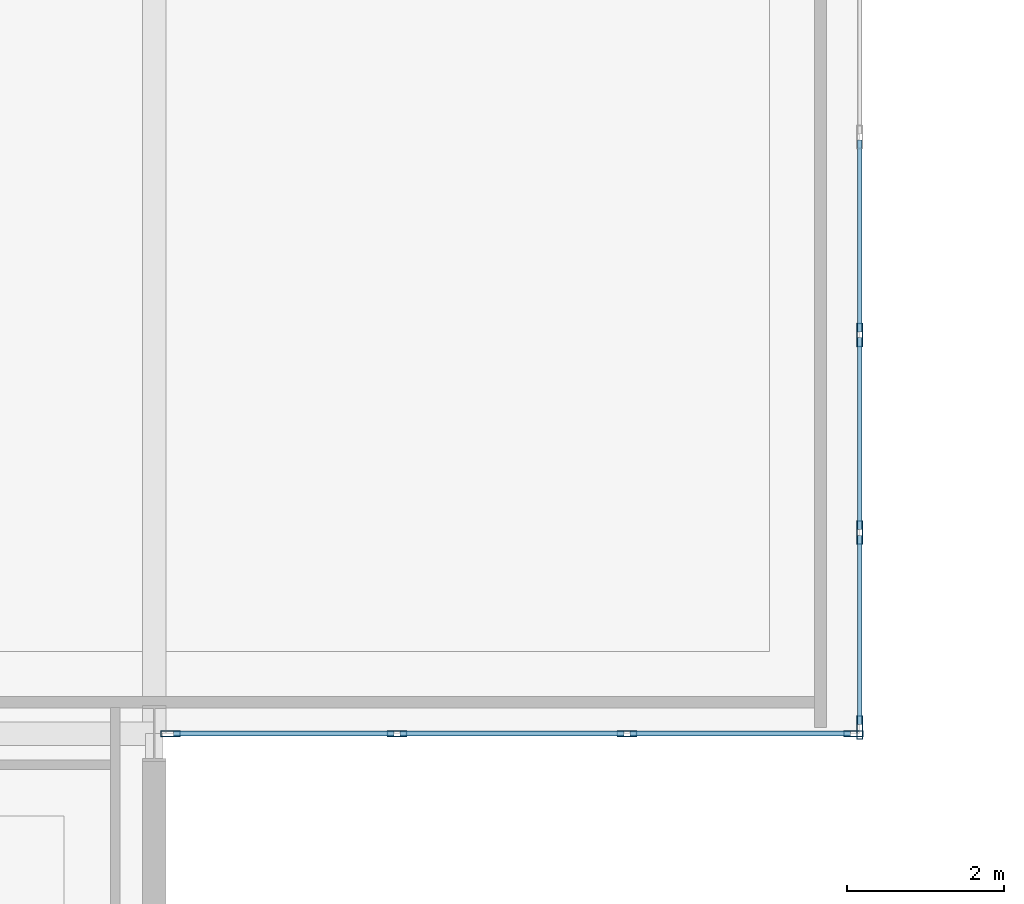
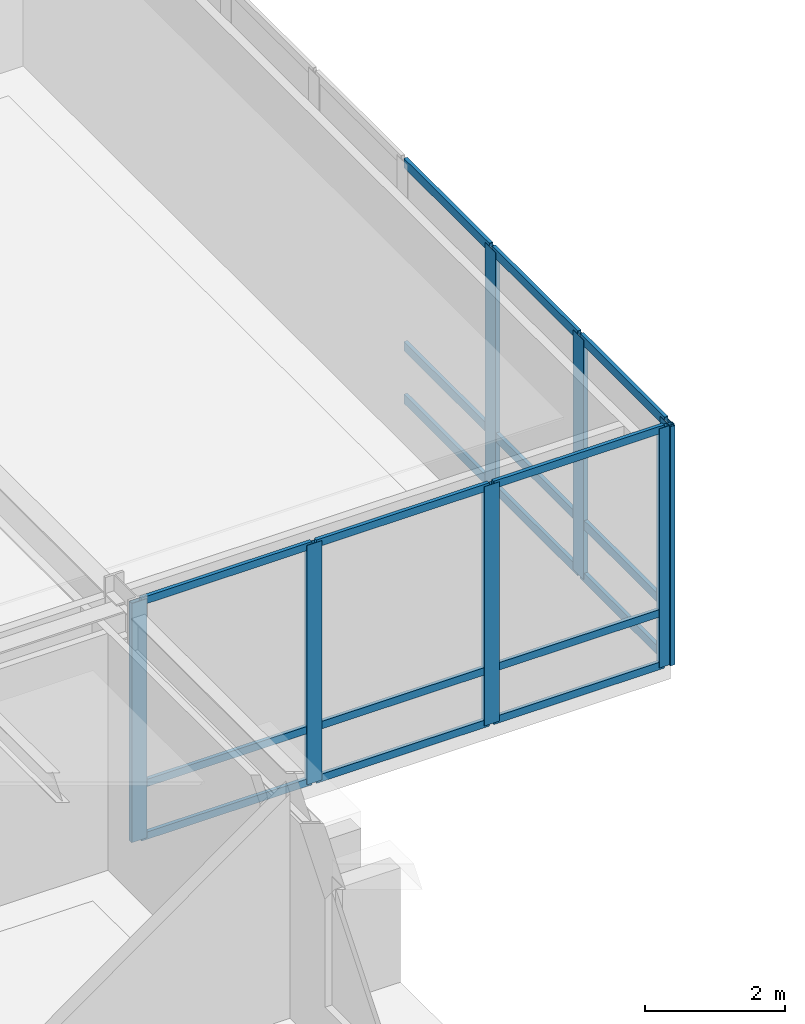
# One storey, part 84 of 127: 25 members, 2 elements without a shape of their own.
"""IFC4 building model written with IfcOpenShell, lengths in metres."""

from ifc_helpers import new_model, si_unit, direction, frame, origin, origin_2d, place, context, subcontext, project, spatial, hollow_rectangle, extrude, material, layer, layer_set, material_profile, profile_set, type_object, element, aggregate, save


model = new_model("IFC4")

# Units and contexts
model_context = context("Model", 3, precision=1e-05, world=origin(), true_north=direction((0.0, 1.0)))
body_context = subcontext(model_context, "Body", "Model", "MODEL_VIEW")
ifc_project = project(units=[si_unit("LENGTHUNIT", "METRE"), si_unit("AREAUNIT", "SQUARE_METRE"), si_unit("VOLUMEUNIT", "CUBIC_METRE"), si_unit("PLANEANGLEUNIT", "RADIAN"), si_unit("MASSUNIT", "GRAM", prefix="KILO")], contexts=[model_context])

# Site, building, storey
site_placement = place(None, origin())
site = spatial("IfcSite", under=ifc_project, at=site_placement, CompositionType="ELEMENT")
building_placement = place(site_placement, origin())
building = spatial("IfcBuilding", under=site, at=building_placement, Name="Montelvaro Courts of Justice", CompositionType="ELEMENT")
storey_placement = place(building_placement, frame((0.0, 0.0, 5.39990234375)))
storey = spatial("IfcBuildingStorey", under=building, at=storey_placement, Name="L01", CompositionType="ELEMENT", Elevation=5.39990234375)

# Curtain wall, members
ifc_material = material(Name="Anodised aluminium EN AW-6063", Category="aluminium")
ifc_layer_1 = layer(ifc_material, 0.159912109375)
ifc_layer_set_1 = layer_set([ifc_layer_1], Name="Anodised aluminium EN AW-6063")
curtain_wall_type_1 = type_object("IfcCurtainWallType", Name="CurtainWall_25_879x418", PredefinedType="USERDEFINED", material=ifc_layer_set_1)
curtain_wall_1_placement = place(storey_placement, origin())
curtain_wall_1 = element("IfcCurtainWall", 1, at=curtain_wall_1_placement, inside=storey, type_object=curtain_wall_type_1, Name="Curtain Wall CW-25 (L01)", ObjectType="CURTAIN WALL", PredefinedType="USERDEFINED")
ifc_material_profile_1 = material_profile(ifc_material, hollow_rectangle(XDim=0.074951171875, YDim=0.25, WallThickness=0.005615234375, at=origin_2d()), Name="ALU-M 75x250")
ifc_profile_set_1 = profile_set([ifc_material_profile_1], Name="Anodised aluminium EN AW-6063")
member_type_1 = type_object("IfcMemberType", Name="CurtainWall_Mullion_75x250", PredefinedType="MULLION", material=ifc_profile_set_1)
member_1_placement = place(storey_placement, frame((135.20458984375, 24.0, 0.0), z_axis=(0.0, 0.0, 1.0), x_axis=(0.0, 1.0, 0.0)))
member_1 = element("IfcMember", 2, at=member_1_placement, type_object=member_type_1, Name="CW-25 mullion 1", PredefinedType="MULLION", context=body_context, shape_type="SweptSolid", body=[
    extrude(hollow_rectangle(XDim=0.074951171875, YDim=0.25, WallThickness=0.005615234375, at=origin_2d()), origin(), (0.0, 0.0, 1.0), 4.18017578125),
])
member_2_placement = place(storey_placement, frame((138.097900390625, 24.0, 0.0), z_axis=(0.0, 0.0, 1.0), x_axis=(0.0, 1.0, 0.0)))
member_2 = element("IfcMember", 3, at=member_2_placement, type_object=member_type_1, Name="CW-25 mullion 2", PredefinedType="MULLION", context=body_context, shape_type="SweptSolid", body=[
    extrude(hollow_rectangle(XDim=0.074951171875, YDim=0.25, WallThickness=0.005615234375, at=origin_2d()), origin(), (0.0, 0.0, 1.0), 4.18017578125),
])
member_3_placement = place(storey_placement, frame((141.029052734375, 24.0, 0.0), z_axis=(0.0, 0.0, 1.0), x_axis=(0.0, 1.0, 0.0)))
member_3 = element("IfcMember", 4, at=member_3_placement, type_object=member_type_1, Name="CW-25 mullion 3", PredefinedType="MULLION", context=body_context, shape_type="SweptSolid", body=[
    extrude(hollow_rectangle(XDim=0.074951171875, YDim=0.25, WallThickness=0.005615234375, at=origin_2d()), origin(), (0.0, 0.0, 1.0), 4.18017578125),
])
member_4_placement = place(storey_placement, frame((143.922607421875, 24.0, 0.0), z_axis=(0.0, 0.0, 1.0), x_axis=(0.0, 1.0, 0.0)))
member_4 = element("IfcMember", 5, at=member_4_placement, type_object=member_type_1, Name="CW-25 mullion 4", PredefinedType="MULLION", context=body_context, shape_type="SweptSolid", body=[
    extrude(hollow_rectangle(XDim=0.074951171875, YDim=0.25, WallThickness=0.005615234375, at=origin_2d()), origin(), (0.0, 0.0, 1.0), 4.18017578125),
])

ifc_layer_2 = layer(ifc_material, 0.159912109375)
ifc_layer_set_2 = layer_set([ifc_layer_2], Name="Anodised aluminium EN AW-6063")
curtain_wall_type_2 = type_object("IfcCurtainWallType", Name="CurtainWall_15_1765x418", PredefinedType="USERDEFINED", material=ifc_layer_set_2)
curtain_wall_2_placement = place(storey_placement, origin())
curtain_wall_2 = element("IfcCurtainWall", 6, at=curtain_wall_2_placement, inside=storey, type_object=curtain_wall_type_2, Name="Curtain Wall CW-15 (L01)", ObjectType="CURTAIN WALL", PredefinedType="USERDEFINED")
ifc_material_profile_2 = material_profile(ifc_material, hollow_rectangle(XDim=0.074951171875, YDim=0.300048828125, WallThickness=0.006103515625, at=origin_2d()), Name="ALU-M 75x300")
ifc_profile_set_2 = profile_set([ifc_material_profile_2], Name="Anodised aluminium EN AW-6063")
member_type_2 = type_object("IfcMemberType", Name="CurtainWall_Mullion_75x300", PredefinedType="MULLION", material=ifc_profile_set_2)
member_5_placement = place(storey_placement, frame((144.0, 24.077392578125, 0.0), z_axis=(0.0, 0.0, 1.0), x_axis=(-1.0, 0.0, 0.0)))
member_5 = element("IfcMember", 7, at=member_5_placement, type_object=member_type_2, Name="CW-15 mullion 1", PredefinedType="MULLION", context=body_context, shape_type="SweptSolid", body=[
    extrude(hollow_rectangle(XDim=0.074951171875, YDim=0.300048828125, WallThickness=0.006103515625, at=origin_2d()), origin(), (0.0, 0.0, 1.0), 4.18017578125),
])
member_6_placement = place(storey_placement, frame((144.0, 26.564208984375, 0.0), z_axis=(0.0, 0.0, 1.0), x_axis=(-1.0, 0.0, 0.0)))
member_6 = element("IfcMember", 8, at=member_6_placement, type_object=member_type_2, Name="CW-15 mullion 2", PredefinedType="MULLION", context=body_context, shape_type="SweptSolid", body=[
    extrude(hollow_rectangle(XDim=0.074951171875, YDim=0.300048828125, WallThickness=0.006103515625, at=origin_2d()), origin(), (0.0, 0.0, 1.0), 4.18017578125),
])
member_7_placement = place(storey_placement, frame((144.0, 29.088623046875, 0.0), z_axis=(0.0, 0.0, 1.0), x_axis=(-1.0, 0.0, 0.0)))
member_7 = element("IfcMember", 9, at=member_7_placement, type_object=member_type_2, Name="CW-15 mullion 3", PredefinedType="MULLION", context=body_context, shape_type="SweptSolid", body=[
    extrude(hollow_rectangle(XDim=0.074951171875, YDim=0.300048828125, WallThickness=0.006103515625, at=origin_2d()), origin(), (0.0, 0.0, 1.0), 4.18017578125),
])

# Member
ifc_material_profile_3 = material_profile(ifc_material, hollow_rectangle(XDim=0.06005859375, YDim=0.1298828125, WallThickness=0.00390625, at=origin_2d()), Name="ALU-T 60x130")
ifc_profile_set_3 = profile_set([ifc_material_profile_3], Name="Anodised aluminium EN AW-6063")
member_type_3 = type_object("IfcMemberType", Name="CurtainWall_Transom_60x130", PredefinedType="USERDEFINED", material=ifc_profile_set_3)
member_8_placement = place(storey_placement, frame((135.241943359375, 24.0, 0.030029296875), z_axis=(1.0, 0.0, 0.0), x_axis=(0.0, 1.0, 0.0)))
member_8 = element("IfcMember", 10, at=member_8_placement, type_object=member_type_3, Name="CW-25 transom 1.1", ObjectType="TRANSOM", PredefinedType="USERDEFINED", context=body_context, shape_type="SweptSolid", body=[
    extrude(hollow_rectangle(XDim=0.06005859375, YDim=0.1298828125, WallThickness=0.00390625, at=origin_2d()), origin(), (0.0, 0.0, 1.0), 2.818603515625),
])

member_9_placement = place(storey_placement, frame((135.241943359375, 24.0, 0.9501953125), z_axis=(1.0, 0.0, 0.0), x_axis=(0.0, 1.0, 0.0)))
member_9 = element("IfcMember", 11, at=member_9_placement, type_object=member_type_3, Name="CW-25 transom 1.2", ObjectType="TRANSOM", PredefinedType="USERDEFINED", context=body_context, shape_type="SweptSolid", body=[
    extrude(hollow_rectangle(XDim=0.06005859375, YDim=0.1298828125, WallThickness=0.00390625, at=origin_2d()), origin(), (0.0, 0.0, 1.0), 2.818603515625),
])

member_10_placement = place(storey_placement, frame((135.241943359375, 24.0, 4.150146484375), z_axis=(1.0, 0.0, 0.0), x_axis=(0.0, 1.0, 0.0)))
member_10 = element("IfcMember", 12, at=member_10_placement, type_object=member_type_3, Name="CW-25 transom 1.3", ObjectType="TRANSOM", PredefinedType="USERDEFINED", context=body_context, shape_type="SweptSolid", body=[
    extrude(hollow_rectangle(XDim=0.06005859375, YDim=0.1298828125, WallThickness=0.00390625, at=origin_2d()), origin(), (0.0, 0.0, 1.0), 2.818603515625),
])

member_11_placement = place(storey_placement, frame((138.135498046875, 24.0, 0.030029296875), z_axis=(1.0, 0.0, 0.0), x_axis=(0.0, 1.0, 0.0)))
member_11 = element("IfcMember", 13, at=member_11_placement, type_object=member_type_3, Name="CW-25 transom 2.1", ObjectType="TRANSOM", PredefinedType="USERDEFINED", context=body_context, shape_type="SweptSolid", body=[
    extrude(hollow_rectangle(XDim=0.06005859375, YDim=0.1298828125, WallThickness=0.00390625, at=origin_2d()), origin(), (0.0, 0.0, 1.0), 2.85595703125),
])

member_12_placement = place(storey_placement, frame((138.135498046875, 24.0, 0.9501953125), z_axis=(1.0, 0.0, 0.0), x_axis=(0.0, 1.0, 0.0)))
member_12 = element("IfcMember", 14, at=member_12_placement, type_object=member_type_3, Name="CW-25 transom 2.2", ObjectType="TRANSOM", PredefinedType="USERDEFINED", context=body_context, shape_type="SweptSolid", body=[
    extrude(hollow_rectangle(XDim=0.06005859375, YDim=0.1298828125, WallThickness=0.00390625, at=origin_2d()), origin(), (0.0, 0.0, 1.0), 2.85595703125),
])

member_13_placement = place(storey_placement, frame((138.135498046875, 24.0, 4.150146484375), z_axis=(1.0, 0.0, 0.0), x_axis=(0.0, 1.0, 0.0)))
member_13 = element("IfcMember", 15, at=member_13_placement, type_object=member_type_3, Name="CW-25 transom 2.3", ObjectType="TRANSOM", PredefinedType="USERDEFINED", context=body_context, shape_type="SweptSolid", body=[
    extrude(hollow_rectangle(XDim=0.06005859375, YDim=0.1298828125, WallThickness=0.00390625, at=origin_2d()), origin(), (0.0, 0.0, 1.0), 2.85595703125),
])

member_14_placement = place(storey_placement, frame((141.06640625, 24.0, 0.030029296875), z_axis=(1.0, 0.0, 0.0), x_axis=(0.0, 1.0, 0.0)))
member_14 = element("IfcMember", 16, at=member_14_placement, type_object=member_type_3, Name="CW-25 transom 3.1", ObjectType="TRANSOM", PredefinedType="USERDEFINED", context=body_context, shape_type="SweptSolid", body=[
    extrude(hollow_rectangle(XDim=0.06005859375, YDim=0.1298828125, WallThickness=0.00390625, at=origin_2d()), origin(), (0.0, 0.0, 1.0), 2.818603515625),
])

member_15_placement = place(storey_placement, frame((141.06640625, 24.0, 0.9501953125), z_axis=(1.0, 0.0, 0.0), x_axis=(0.0, 1.0, 0.0)))
member_15 = element("IfcMember", 17, at=member_15_placement, type_object=member_type_3, Name="CW-25 transom 3.2", ObjectType="TRANSOM", PredefinedType="USERDEFINED", context=body_context, shape_type="SweptSolid", body=[
    extrude(hollow_rectangle(XDim=0.06005859375, YDim=0.1298828125, WallThickness=0.00390625, at=origin_2d()), origin(), (0.0, 0.0, 1.0), 2.818603515625),
])

member_16_placement = place(storey_placement, frame((141.06640625, 24.0, 4.150146484375), z_axis=(1.0, 0.0, 0.0), x_axis=(0.0, 1.0, 0.0)))
member_16 = element("IfcMember", 18, at=member_16_placement, type_object=member_type_3, Name="CW-25 transom 3.3", ObjectType="TRANSOM", PredefinedType="USERDEFINED", context=body_context, shape_type="SweptSolid", body=[
    extrude(hollow_rectangle(XDim=0.06005859375, YDim=0.1298828125, WallThickness=0.00390625, at=origin_2d()), origin(), (0.0, 0.0, 1.0), 2.818603515625),
])

aggregate(curtain_wall_1, [member_1, member_2, member_3, member_4, member_8, member_9, member_10, member_11, member_12, member_13, member_14, member_15, member_16])

ifc_material_profile_4 = material_profile(ifc_material, hollow_rectangle(XDim=0.06005859375, YDim=0.159912109375, WallThickness=0.00439453125, at=origin_2d()), Name="ALU-T 60x160")
ifc_profile_set_4 = profile_set([ifc_material_profile_4], Name="Anodised aluminium EN AW-6063")
member_type_4 = type_object("IfcMemberType", Name="CurtainWall_Transom_60x160", PredefinedType="USERDEFINED", material=ifc_profile_set_4)
member_17_placement = place(storey_placement, frame((144.0, 24.114990234375, 0.030029296875), z_axis=(0.0, 1.0, 0.0), x_axis=(-1.0, 0.0, 0.0)))
member_17 = element("IfcMember", 19, at=member_17_placement, type_object=member_type_4, Name="CW-15 transom 1.1", ObjectType="TRANSOM", PredefinedType="USERDEFINED", context=body_context, shape_type="SweptSolid", body=[
    extrude(hollow_rectangle(XDim=0.06005859375, YDim=0.159912109375, WallThickness=0.00439453125, at=origin_2d()), origin(), (0.0, 0.0, 1.0), 2.411865234375),
])

member_18_placement = place(storey_placement, frame((144.0, 24.114990234375, 0.9501953125), z_axis=(0.0, 1.0, 0.0), x_axis=(-1.0, 0.0, 0.0)))
member_18 = element("IfcMember", 20, at=member_18_placement, type_object=member_type_4, Name="CW-15 transom 1.2", ObjectType="TRANSOM", PredefinedType="USERDEFINED", context=body_context, shape_type="SweptSolid", body=[
    extrude(hollow_rectangle(XDim=0.06005859375, YDim=0.159912109375, WallThickness=0.00439453125, at=origin_2d()), origin(), (0.0, 0.0, 1.0), 2.411865234375),
])

member_19_placement = place(storey_placement, frame((144.0, 24.114990234375, 4.150146484375), z_axis=(0.0, 1.0, 0.0), x_axis=(-1.0, 0.0, 0.0)))
member_19 = element("IfcMember", 21, at=member_19_placement, type_object=member_type_4, Name="CW-15 transom 1.3", ObjectType="TRANSOM", PredefinedType="USERDEFINED", context=body_context, shape_type="SweptSolid", body=[
    extrude(hollow_rectangle(XDim=0.06005859375, YDim=0.159912109375, WallThickness=0.00439453125, at=origin_2d()), origin(), (0.0, 0.0, 1.0), 2.411865234375),
])

member_20_placement = place(storey_placement, frame((144.0, 26.601806640625, 0.030029296875), z_axis=(0.0, 1.0, 0.0), x_axis=(-1.0, 0.0, 0.0)))
member_20 = element("IfcMember", 22, at=member_20_placement, type_object=member_type_4, Name="CW-15 transom 2.1", ObjectType="TRANSOM", PredefinedType="USERDEFINED", context=body_context, shape_type="SweptSolid", body=[
    extrude(hollow_rectangle(XDim=0.06005859375, YDim=0.159912109375, WallThickness=0.00439453125, at=origin_2d()), origin(), (0.0, 0.0, 1.0), 2.44921875),
])

member_21_placement = place(storey_placement, frame((144.0, 26.601806640625, 0.9501953125), z_axis=(0.0, 1.0, 0.0), x_axis=(-1.0, 0.0, 0.0)))
member_21 = element("IfcMember", 23, at=member_21_placement, type_object=member_type_4, Name="CW-15 transom 2.2", ObjectType="TRANSOM", PredefinedType="USERDEFINED", context=body_context, shape_type="SweptSolid", body=[
    extrude(hollow_rectangle(XDim=0.06005859375, YDim=0.159912109375, WallThickness=0.00439453125, at=origin_2d()), origin(), (0.0, 0.0, 1.0), 2.44921875),
])

member_22_placement = place(storey_placement, frame((144.0, 26.601806640625, 4.150146484375), z_axis=(0.0, 1.0, 0.0), x_axis=(-1.0, 0.0, 0.0)))
member_22 = element("IfcMember", 24, at=member_22_placement, type_object=member_type_4, Name="CW-15 transom 2.3", ObjectType="TRANSOM", PredefinedType="USERDEFINED", context=body_context, shape_type="SweptSolid", body=[
    extrude(hollow_rectangle(XDim=0.06005859375, YDim=0.159912109375, WallThickness=0.00439453125, at=origin_2d()), origin(), (0.0, 0.0, 1.0), 2.44921875),
])

member_23_placement = place(storey_placement, frame((144.0, 29.1259765625, 0.030029296875), z_axis=(0.0, 1.0, 0.0), x_axis=(-1.0, 0.0, 0.0)))
member_23 = element("IfcMember", 25, at=member_23_placement, type_object=member_type_4, Name="CW-15 transom 3.1", ObjectType="TRANSOM", PredefinedType="USERDEFINED", context=body_context, shape_type="SweptSolid", body=[
    extrude(hollow_rectangle(XDim=0.06005859375, YDim=0.159912109375, WallThickness=0.00439453125, at=origin_2d()), origin(), (0.0, 0.0, 1.0), 2.449462890625),
])

member_24_placement = place(storey_placement, frame((144.0, 29.1259765625, 0.9501953125), z_axis=(0.0, 1.0, 0.0), x_axis=(-1.0, 0.0, 0.0)))
member_24 = element("IfcMember", 26, at=member_24_placement, type_object=member_type_4, Name="CW-15 transom 3.2", ObjectType="TRANSOM", PredefinedType="USERDEFINED", context=body_context, shape_type="SweptSolid", body=[
    extrude(hollow_rectangle(XDim=0.06005859375, YDim=0.159912109375, WallThickness=0.00439453125, at=origin_2d()), origin(), (0.0, 0.0, 1.0), 2.449462890625),
])

member_25_placement = place(storey_placement, frame((144.0, 29.1259765625, 4.150146484375), z_axis=(0.0, 1.0, 0.0), x_axis=(-1.0, 0.0, 0.0)))
member_25 = element("IfcMember", 27, at=member_25_placement, type_object=member_type_4, Name="CW-15 transom 3.3", ObjectType="TRANSOM", PredefinedType="USERDEFINED", context=body_context, shape_type="SweptSolid", body=[
    extrude(hollow_rectangle(XDim=0.06005859375, YDim=0.159912109375, WallThickness=0.00439453125, at=origin_2d()), origin(), (0.0, 0.0, 1.0), 2.449462890625),
])

aggregate(curtain_wall_2, [member_5, member_6, member_7, member_17, member_18, member_19, member_20, member_21, member_22, member_23, member_24, member_25])

save(model, "model.ifc")
